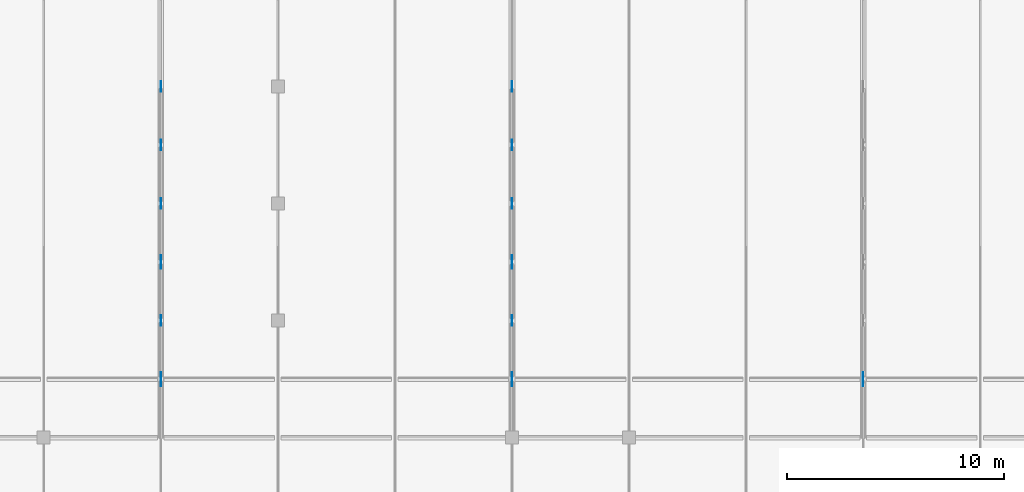
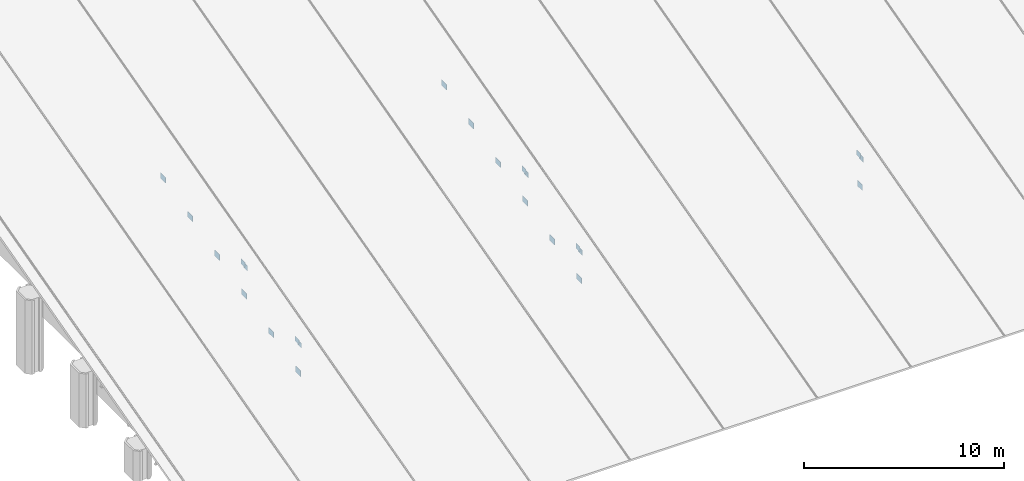
# One storey, part 17 of 23: 23 discrete accessories.
"""IFC4 building model written with IfcOpenShell, lengths in metres."""

from ifc_helpers import new_model, si_unit, direction, frame, origin, origin_2d, place, context, subcontext, project, spatial, rectangle, extrude, material, layer, layer_set, type_object, element, save


model = new_model("IFC4")

# Units and contexts
model_context = context("Model", 3, precision=1e-05, world=origin(), true_north=direction((0.0, 1.0)))
body_context = subcontext(model_context, "Body", "Model", "MODEL_VIEW")
ifc_project = project(units=[si_unit("LENGTHUNIT", "METRE"), si_unit("AREAUNIT", "SQUARE_METRE"), si_unit("VOLUMEUNIT", "CUBIC_METRE"), si_unit("PLANEANGLEUNIT", "RADIAN"), si_unit("MASSUNIT", "GRAM", prefix="KILO")], contexts=[model_context])

# Site, building, storey
site_placement = place(None, origin())
site = spatial("IfcSite", under=ifc_project, at=site_placement, CompositionType="ELEMENT")
building_placement = place(site_placement, origin())
building = spatial("IfcBuilding", under=site, at=building_placement, Name="Tabaq Tower and Sports Hall", CompositionType="ELEMENT")
storey_placement = place(building_placement, frame((0.0, 0.0, 24.60009765625)))
storey = spatial("IfcBuildingStorey", under=building, at=storey_placement, Name="L04", CompositionType="ELEMENT", Elevation=24.60009765625)

# Discrete accessories
ifc_material_1 = material(Name="Steel S355", Category="steel")
ifc_layer_1 = layer(ifc_material_1, 0.02001953125)
ifc_layer_set_1 = layer_set([ifc_layer_1], Name="ROOF TRUSS BEARING PLATE 400x300x20 S355")
discrete_accessory_type_1 = type_object("IfcDiscreteAccessoryType", Name="ROOF TRUSS BEARING PLATE 400x300x20 S355", PredefinedType="ANCHORPLATE", material=ifc_layer_set_1)
for number, where, z_axis, x_axis, name in (
    (1, (75.60009765625, 13.3798828125, 2.4072265625), (0.0, 0.0, 1.0), (1.0, 0.0, 0.0), "Roof truss 1 bearing plate 01"),
    (2, (75.60009765625, 13.6201171875, 2.4716796875), (0.0, 0.0, 1.0), (1.0, 0.0, 0.0), "Roof truss 1 bearing plate 02"),
    (3, (75.60009765625, 18.780029296875, 3.85400390625), (0.0, 0.0, 1.0), (1.0, 0.0, 0.0), "Roof truss 1 bearing plate 03"),
    (4, (75.60009765625, 19.02001953125, 3.91845703125), (0.0, 0.0, 1.0), (1.0, 0.0, 0.0), "Roof truss 1 bearing plate 04"),
    (5, (91.800048828125, 13.3798828125, 2.4072265625), (0.0, 0.0, 1.0), (1.0, 0.0, 0.0), "Roof truss 2 bearing plate 01"),
    (6, (91.800048828125, 13.6201171875, 2.4716796875), (0.0, 0.0, 1.0), (1.0, 0.0, 0.0), "Roof truss 2 bearing plate 02"),
    (7, (91.800048828125, 18.780029296875, 3.85400390625), (0.0, 0.0, 1.0), (1.0, 0.0, 0.0), "Roof truss 2 bearing plate 03"),
    (8, (91.800048828125, 19.02001953125, 3.91845703125), (0.0, 0.0, 1.0), (1.0, 0.0, 0.0), "Roof truss 2 bearing plate 04"),
    (9, (108.0, 13.3798828125, 2.4072265625), (0.0, 0.0, 1.0), (1.0, 0.0, 0.0), "Roof truss 3 bearing plate 01"),
    (10, (108.0, 13.6201171875, 2.4716796875), (0.0, 0.0, 1.0), (1.0, 0.0, 0.0), "Roof truss 3 bearing plate 02"),
):
    element("IfcDiscreteAccessory", number, at=place(storey_placement, frame(where, z_axis=z_axis, x_axis=x_axis)), inside=storey, type_object=discrete_accessory_type_1, Name=name, PredefinedType="ANCHORPLATE", context=body_context, shape_type="SweptSolid", body=[
        extrude(rectangle(XDim=0.02001953125, YDim=0.39990234375, at=origin_2d()), origin(), (0.0, 0.0, 1.0), 0.300048828125),
    ])
ifc_material_2 = material(Name="Steel S355", Category="steel")
ifc_layer_2 = layer(ifc_material_2, 0.02001953125)
ifc_layer_set_2 = layer_set([ifc_layer_2], Name="ROOF TRUSS NODE PLATE 500x350x20 S355")
discrete_accessory_type_2 = type_object("IfcDiscreteAccessoryType", Name="ROOF TRUSS NODE PLATE 500x350x20 S355", PredefinedType="ANCHORPLATE", material=ifc_layer_set_2)
for number, where, z_axis, x_axis, name in (
    (11, (75.60009765625, 13.5, 0.624267578125), (0.0, 0.0, 1.0), (1.0, 0.0, 0.0), "Roof truss 1 node plate 02"),
    (12, (75.60009765625, 16.199951171875, 1.34765625), (0.0, 0.0, 1.0), (1.0, 0.0, 0.0), "Roof truss 1 node plate 03"),
    (13, (75.60009765625, 18.89990234375, 2.0712890625), (0.0, 0.0, 1.0), (1.0, 0.0, 0.0), "Roof truss 1 node plate 04"),
    (14, (75.60009765625, 21.60009765625, 2.794677734375), (0.0, 0.0, 1.0), (1.0, 0.0, 0.0), "Roof truss 1 node plate 05"),
    (15, (75.60009765625, 24.300048828125, 3.51806640625), (0.0, 0.0, 1.0), (1.0, 0.0, 0.0), "Roof truss 1 node plate 06"),
    (16, (75.60009765625, 27.0, 4.24169921875), (0.0, 0.0, 1.0), (1.0, 0.0, 0.0), "Roof truss 1 node plate 07"),
    (17, (91.800048828125, 13.5, 0.624267578125), (0.0, 0.0, 1.0), (1.0, 0.0, 0.0), "Roof truss 2 node plate 02"),
    (18, (91.800048828125, 16.199951171875, 1.34765625), (0.0, 0.0, 1.0), (1.0, 0.0, 0.0), "Roof truss 2 node plate 03"),
    (19, (91.800048828125, 18.89990234375, 2.0712890625), (0.0, 0.0, 1.0), (1.0, 0.0, 0.0), "Roof truss 2 node plate 04"),
    (20, (91.800048828125, 21.60009765625, 2.794677734375), (0.0, 0.0, 1.0), (1.0, 0.0, 0.0), "Roof truss 2 node plate 05"),
    (21, (91.800048828125, 24.300048828125, 3.51806640625), (0.0, 0.0, 1.0), (1.0, 0.0, 0.0), "Roof truss 2 node plate 06"),
    (22, (91.800048828125, 27.0, 4.24169921875), (0.0, 0.0, 1.0), (1.0, 0.0, 0.0), "Roof truss 2 node plate 07"),
    (23, (108.0, 13.5, 0.624267578125), (0.0, 0.0, 1.0), (1.0, 0.0, 0.0), "Roof truss 3 node plate 02"),
):
    element("IfcDiscreteAccessory", number, at=place(storey_placement, frame(where, z_axis=z_axis, x_axis=x_axis)), inside=storey, type_object=discrete_accessory_type_2, Name=name, PredefinedType="ANCHORPLATE", context=body_context, shape_type="SweptSolid", body=[
        extrude(rectangle(XDim=0.02001953125, YDim=0.5, at=origin_2d()), origin(), (0.0, 0.0, 1.0), 0.35009765625),
    ])

save(model, "model.ifc")
